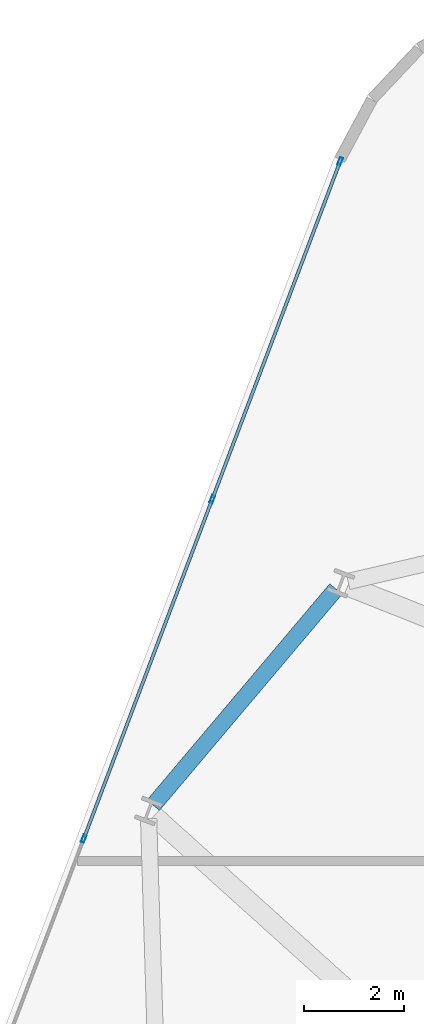
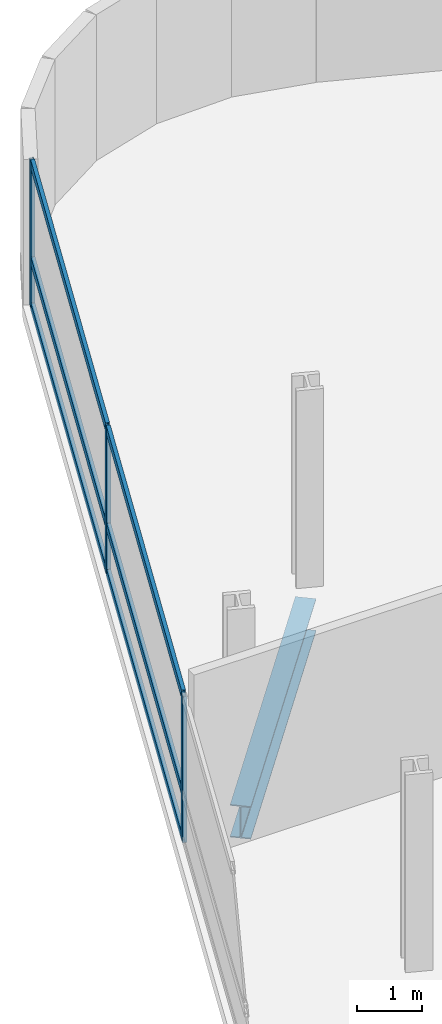
# One storey, part 8 of 25: 9 members, 1 beam, 1 element without a shape of its own.
"""IFC4 building model written with IfcOpenShell, lengths in metres."""

from ifc_helpers import new_model, si_unit, direction, frame, origin, origin_2d, place, context, subcontext, project, spatial, hollow_rectangle, i_section, extrude, material, layer, layer_set, material_profile, profile_set, type_object, element, aggregate, save


model = new_model("IFC4")

# Units and contexts
model_context = context("Model", 3, precision=1e-05, world=origin(), true_north=direction((0.0, 1.0)))
body_context = subcontext(model_context, "Body", "Model", "MODEL_VIEW")
ifc_project = project(units=[si_unit("LENGTHUNIT", "METRE"), si_unit("AREAUNIT", "SQUARE_METRE"), si_unit("VOLUMEUNIT", "CUBIC_METRE"), si_unit("PLANEANGLEUNIT", "RADIAN"), si_unit("MASSUNIT", "GRAM", prefix="KILO")], contexts=[model_context])

# Site, building, storey
site_placement = place(None, origin())
site = spatial("IfcSite", under=ifc_project, at=site_placement, CompositionType="ELEMENT")
building_placement = place(site_placement, origin())
building = spatial("IfcBuilding", under=site, at=building_placement, Name="Varnelok Gate Tower", CompositionType="ELEMENT")
storey_placement = place(building_placement, frame((0.0, 0.0, 79.89990234375)))
storey = spatial("IfcBuildingStorey", under=building, at=storey_placement, Name="L19", CompositionType="ELEMENT", Elevation=79.89990234375)

# Beam
ifc_material_1 = material(Name="Structural Steel ASTM A992 Grade 50", Category="steel")
ifc_material_profile_1 = material_profile(ifc_material_1, i_section(OverallWidth=0.323974609375, OverallDepth=0.611083984375, WebThickness=0.0126953125, FlangeThickness=0.01904296875, FilletRadius=0.01806640625, at=origin_2d()), Name="W24X104")
ifc_profile_set_1 = profile_set([ifc_material_profile_1], Name="Structural Steel ASTM A992 Grade 50")
beam_type = type_object("IfcBeamType", Name="BM-SPN-W24X104", PredefinedType="SPANDREL", material=ifc_profile_set_1)
beam_placement = place(storey_placement, frame((10.66650390625, 46.857666015625, -0.555419921875), z_axis=(-0.645376429405, -0.763864689829, 0.0), x_axis=(0.763864689829, -0.645376429405, 0.0)))
element("IfcBeam", 1, at=beam_placement, inside=storey, type_object=beam_type, Name="L19 Perimeter Spandrel Beam 14", PredefinedType="SPANDREL", context=body_context, shape_type="SweptSolid", body=[
    extrude(i_section(OverallWidth=0.323974609375, OverallDepth=0.611083984375, WebThickness=0.0126953125, FlangeThickness=0.01904296875, FilletRadius=0.01806640625, at=origin_2d()), origin(), (0.0, 0.0, 1.0), 5.64990234375),
])

# Curtain wall, members
ifc_material_2 = material(Name="Anodized Aluminum Alloy 6063-T6", Category="aluminium")
ifc_layer = layer(ifc_material_2, 0.179931640625)
ifc_layer_set = layer_set([ifc_layer], Name="Anodized Aluminum Alloy 6063-T6")
curtain_wall_type = type_object("IfcCurtainWallType", Name="CW3-HOTEL-VISION", PredefinedType="USERDEFINED", material=ifc_layer_set)
curtain_wall_placement = place(storey_placement, origin())
curtain_wall = element("IfcCurtainWall", 2, at=curtain_wall_placement, inside=storey, type_object=curtain_wall_type, Name="L19 West End Vision Curtain Wall", ObjectType="UNITISED CURTAIN WALL", PredefinedType="USERDEFINED")
ifc_material_profile_2 = material_profile(ifc_material_2, hollow_rectangle(XDim=0.06494140625, YDim=0.159912109375, WallThickness=0.00390625, at=origin_2d()), Name="ALU160X65X4")
ifc_profile_set_2 = profile_set([ifc_material_profile_2], Name="Anodized Aluminum Alloy 6063-T6")
member_type_1 = type_object("IfcMemberType", Name="CW-MULL-160", PredefinedType="MULLION", material=ifc_profile_set_2)
member_1_placement = place(storey_placement, frame((5.63525390625, 41.8779296875, 0.0), z_axis=(0.0, 0.0, 1.0), x_axis=(-0.935221323688, 0.354063660545, 0.0)))
member_1 = element("IfcMember", 3, at=member_1_placement, type_object=member_type_1, Name="CW3 mullion 4", PredefinedType="MULLION", context=body_context, shape_type="SweptSolid", body=[
    extrude(hollow_rectangle(XDim=0.06494140625, YDim=0.159912109375, WallThickness=0.00390625, at=origin_2d()), origin(), (0.0, 0.0, 1.0), 2.72998046875),
])
member_2_placement = place(storey_placement, frame((8.19873046875, 48.64892578125, 0.0), z_axis=(0.0, 0.0, 1.0), x_axis=(-0.935221323688, 0.354063660545, 0.0)))
member_2 = element("IfcMember", 4, at=member_2_placement, type_object=member_type_1, Name="CW3 mullion 5", PredefinedType="MULLION", context=body_context, shape_type="SweptSolid", body=[
    extrude(hollow_rectangle(XDim=0.06494140625, YDim=0.159912109375, WallThickness=0.00390625, at=origin_2d()), origin(), (0.0, 0.0, 1.0), 2.72998046875),
])
member_3_placement = place(storey_placement, frame((10.750732421875, 55.389404296875, 0.0), z_axis=(0.0, 0.0, 1.0), x_axis=(-0.935221323688, 0.354063660545, 0.0)))
member_3 = element("IfcMember", 5, at=member_3_placement, type_object=member_type_1, Name="CW3 mullion 6", PredefinedType="MULLION", context=body_context, shape_type="SweptSolid", body=[
    extrude(hollow_rectangle(XDim=0.06494140625, YDim=0.159912109375, WallThickness=0.00390625, at=origin_2d()), origin(), (0.0, 0.0, 1.0), 2.72998046875),
])
ifc_material_profile_3 = material_profile(ifc_material_2, hollow_rectangle(XDim=0.06494140625, YDim=0.159912109375, WallThickness=0.00390625, at=origin_2d()), Name="ALU160X65X4")
ifc_profile_set_3 = profile_set([ifc_material_profile_3], Name="Anodized Aluminum Alloy 6063-T6")
member_type_2 = type_object("IfcMemberType", Name="CW-TRAN-160", PredefinedType="USERDEFINED", material=ifc_profile_set_3)
member_4_placement = place(storey_placement, frame((5.64697265625, 41.908203125, 0.03271484375), z_axis=(0.354048963644, 0.935226887628, 0.0), x_axis=(-0.935226887628, 0.354048963644, 0.0)))
member_4 = element("IfcMember", 6, at=member_4_placement, type_object=member_type_2, Name="CW3 transom 4.1", ObjectType="TRANSOM", PredefinedType="USERDEFINED", context=body_context, shape_type="SweptSolid", body=[
    extrude(hollow_rectangle(XDim=0.06494140625, YDim=0.159912109375, WallThickness=0.00390625, at=origin_2d()), origin(), (0.0, 0.0, 1.0), 7.175048828125),
])
member_5_placement = place(storey_placement, frame((5.64697265625, 41.908203125, 0.900146484375), z_axis=(0.354048963644, 0.935226887628, 0.0), x_axis=(-0.935226887628, 0.354048963644, 0.0)))
member_5 = element("IfcMember", 7, at=member_5_placement, type_object=member_type_2, Name="CW3 transom 4.2", ObjectType="TRANSOM", PredefinedType="USERDEFINED", context=body_context, shape_type="SweptSolid", body=[
    extrude(hollow_rectangle(XDim=0.06494140625, YDim=0.159912109375, WallThickness=0.00390625, at=origin_2d()), origin(), (0.0, 0.0, 1.0), 7.175048828125),
])
member_6_placement = place(storey_placement, frame((5.64697265625, 41.908203125, 2.697509765625), z_axis=(0.354048963644, 0.935226887628, 0.0), x_axis=(-0.935226887628, 0.354048963644, 0.0)))
member_6 = element("IfcMember", 8, at=member_6_placement, type_object=member_type_2, Name="CW3 transom 4.3", ObjectType="TRANSOM", PredefinedType="USERDEFINED", context=body_context, shape_type="SweptSolid", body=[
    extrude(hollow_rectangle(XDim=0.06494140625, YDim=0.159912109375, WallThickness=0.00390625, at=origin_2d()), origin(), (0.0, 0.0, 1.0), 7.175048828125),
])
member_7_placement = place(storey_placement, frame((8.210205078125, 48.67919921875, 0.03271484375), z_axis=(0.354077146385, 0.935216217999, 0.0), x_axis=(-0.935216217999, 0.354077146385, 0.0)))
member_7 = element("IfcMember", 9, at=member_7_placement, type_object=member_type_2, Name="CW3 transom 5.1", ObjectType="TRANSOM", PredefinedType="USERDEFINED", context=body_context, shape_type="SweptSolid", body=[
    extrude(hollow_rectangle(XDim=0.06494140625, YDim=0.159912109375, WallThickness=0.00390625, at=origin_2d()), origin(), (0.0, 0.0, 1.0), 7.142578125),
])
member_8_placement = place(storey_placement, frame((8.210205078125, 48.67919921875, 0.900146484375), z_axis=(0.354077146385, 0.935216217999, 0.0), x_axis=(-0.935216217999, 0.354077146385, 0.0)))
member_8 = element("IfcMember", 10, at=member_8_placement, type_object=member_type_2, Name="CW3 transom 5.2", ObjectType="TRANSOM", PredefinedType="USERDEFINED", context=body_context, shape_type="SweptSolid", body=[
    extrude(hollow_rectangle(XDim=0.06494140625, YDim=0.159912109375, WallThickness=0.00390625, at=origin_2d()), origin(), (0.0, 0.0, 1.0), 7.142578125),
])
member_9_placement = place(storey_placement, frame((8.210205078125, 48.67919921875, 2.697509765625), z_axis=(0.354077146385, 0.935216217999, 0.0), x_axis=(-0.935216217999, 0.354077146385, 0.0)))
member_9 = element("IfcMember", 11, at=member_9_placement, type_object=member_type_2, Name="CW3 transom 5.3", ObjectType="TRANSOM", PredefinedType="USERDEFINED", context=body_context, shape_type="SweptSolid", body=[
    extrude(hollow_rectangle(XDim=0.06494140625, YDim=0.159912109375, WallThickness=0.00390625, at=origin_2d()), origin(), (0.0, 0.0, 1.0), 7.142578125),
])
aggregate(curtain_wall, [member_1, member_2, member_3, member_4, member_5, member_6, member_7, member_8, member_9])

save(model, "model.ifc")
